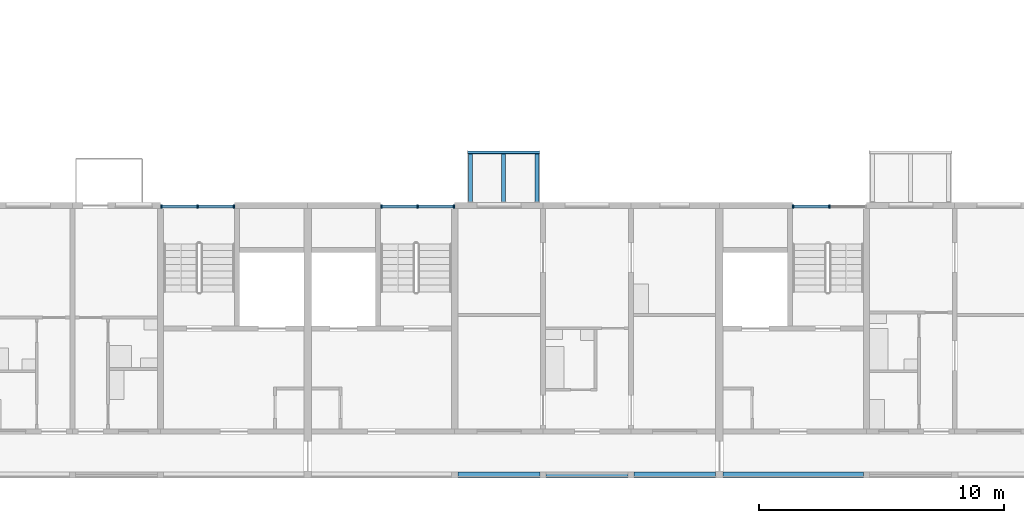
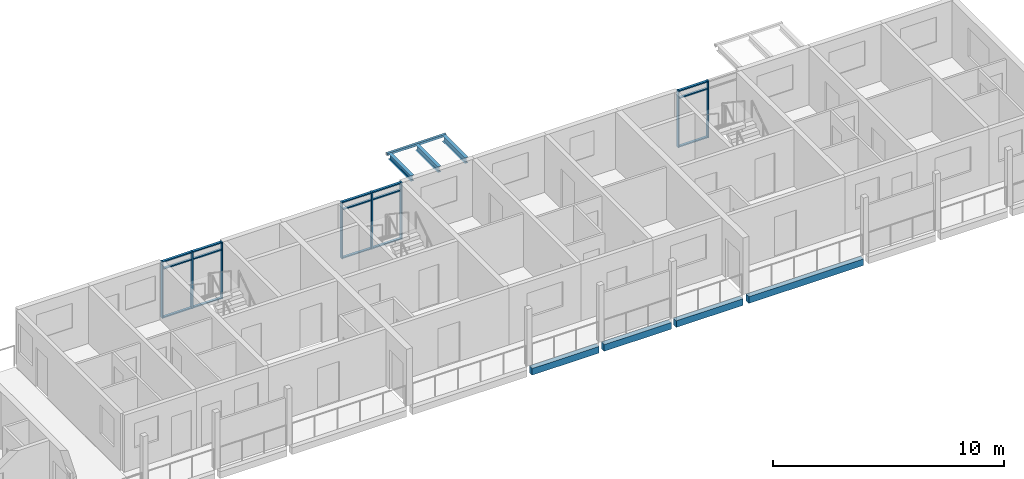
# One storey, part 13 of 64: 23 members, 8 beams, 3 elements without a shape of their own.
"""IFC4 building model written with IfcOpenShell, lengths in metres."""

from ifc_helpers import new_model, si_unit, direction, frame, origin, origin_2d, place, context, subcontext, project, spatial, rectangle, hollow_rectangle, i_section, extrude, material, material_profile, profile_set, type_object, element, aggregate, save


model = new_model("IFC4")

# Units and contexts
model_context = context("Model", 3, precision=1e-05, world=origin(), true_north=direction((0.0, 1.0)))
body_context = subcontext(model_context, "Body", "Model", "MODEL_VIEW")
ifc_project = project(units=[si_unit("LENGTHUNIT", "METRE"), si_unit("AREAUNIT", "SQUARE_METRE"), si_unit("VOLUMEUNIT", "CUBIC_METRE"), si_unit("PLANEANGLEUNIT", "RADIAN"), si_unit("MASSUNIT", "GRAM", prefix="KILO")], contexts=[model_context])

# Site, building, storey
site_placement = place(None, origin())
site = spatial("IfcSite", under=ifc_project, at=site_placement, CompositionType="ELEMENT")
building_placement = place(site_placement, origin())
building = spatial("IfcBuilding", under=site, at=building_placement, Name="Ridgestep Commons", CompositionType="ELEMENT")
storey_placement = place(building_placement, frame((0.0, 0.0, 33.0)))
storey = spatial("IfcBuildingStorey", under=building, at=storey_placement, Name="L11", CompositionType="ELEMENT", Elevation=33.0)

# Beams
ifc_material_1 = material(Name="Precast concrete C40/50", Category="concrete")
ifc_material_profile_1 = material_profile(ifc_material_1, rectangle(XDim=0.25, YDim=0.35009765625, at=origin_2d()), Name="PC 250x350")
ifc_profile_set_1 = profile_set([ifc_material_profile_1], Name="Precast concrete C40/50")
beam_type_1 = type_object("IfcBeamType", Name="Loggia edge beam 250 x 350", PredefinedType="SPANDREL", material=ifc_profile_set_1)
beam_1_placement = place(storey_placement, frame((220.125, 11.875, -0.375), z_axis=(1.0, 0.0, 0.0), x_axis=(0.0, 1.0, 0.0)))
element("IfcBeam", 1, at=beam_1_placement, inside=storey, type_object=beam_type_1, Name="Loggia edge beam D5T3 L11", PredefinedType="SPANDREL", context=body_context, shape_type="SweptSolid", body=[
    extrude(rectangle(XDim=0.25, YDim=0.35009765625, at=origin_2d()), origin(), (0.0, 0.0, 1.0), 3.35009765625),
])
beam_2_placement = place(storey_placement, frame((223.72509765625, 11.875, -0.375), z_axis=(1.0, 0.0, 0.0), x_axis=(0.0, 1.0, 0.0)))
element("IfcBeam", 2, at=beam_2_placement, inside=storey, type_object=beam_type_1, Name="Loggia edge beam D5T2 L11", PredefinedType="SPANDREL", context=body_context, shape_type="SweptSolid", body=[
    extrude(rectangle(XDim=0.25, YDim=0.35009765625, at=origin_2d()), origin(), (0.0, 0.0, 1.0), 3.349853515625),
])
beam_3_placement = place(storey_placement, frame((227.324951171875, 11.875, -0.375), z_axis=(1.0, 0.0, 0.0), x_axis=(0.0, 1.0, 0.0)))
element("IfcBeam", 3, at=beam_3_placement, inside=storey, type_object=beam_type_1, Name="Loggia edge beam D5T1 L11", PredefinedType="SPANDREL", context=body_context, shape_type="SweptSolid", body=[
    extrude(rectangle(XDim=0.25, YDim=0.35009765625, at=origin_2d()), origin(), (0.0, 0.0, 1.0), 3.324951171875),
])
beam_4_placement = place(storey_placement, frame((230.949951171875, 11.875, -0.375), z_axis=(1.0, 0.0, 0.0), x_axis=(0.0, 1.0, 0.0)))
element("IfcBeam", 4, at=beam_4_placement, inside=storey, type_object=beam_type_1, Name="Loggia edge beam D6C L11", PredefinedType="SPANDREL", context=body_context, shape_type="SweptSolid", body=[
    extrude(rectangle(XDim=0.25, YDim=0.35009765625, at=origin_2d()), origin(), (0.0, 0.0, 1.0), 5.72509765625),
])

# Curtain wall, members
ifc_material_2 = material(Name="Aluminium 6063-T6 and glass", Category="aluminium")
curtain_wall_type = type_object("IfcCurtainWallType", Name="Curtain wall stair strip", PredefinedType="NOTDEFINED", material=ifc_material_2)
curtain_wall_1_placement = place(storey_placement, origin())
curtain_wall_1 = element("IfcCurtainWall", 5, at=curtain_wall_1_placement, inside=storey, type_object=curtain_wall_type, Name="Curtain wall D4C level 11", PredefinedType="NOTDEFINED")
ifc_material_3 = material(Name="Aluminium 6063-T6", Category="aluminium")
ifc_material_profile_2 = material_profile(ifc_material_3, rectangle(XDim=0.159912109375, YDim=0.06005859375, at=origin_2d()), Name="Mullion 60 x 160")
ifc_profile_set_2 = profile_set([ifc_material_profile_2], Name="Aluminium 6063-T6")
member_type_1 = type_object("IfcMemberType", Name="Mullion 60 x 160", PredefinedType="MULLION", material=ifc_profile_set_2)
member_1_placement = place(storey_placement, frame((208.030029296875, 22.830078125, 0.0), z_axis=(0.0, 0.0, 1.0), x_axis=(0.0, 1.0, 0.0)))
member_1 = element("IfcMember", 6, at=member_1_placement, type_object=member_type_1, Name="CW1 mullion 1", PredefinedType="MULLION", context=body_context, shape_type="SweptSolid", body=[
    extrude(rectangle(XDim=0.159912109375, YDim=0.06005859375, at=origin_2d()), origin(), (0.0, 0.0, 1.0), 3.0),
])
member_2_placement = place(storey_placement, frame((209.512451171875, 22.830078125, 0.0), z_axis=(0.0, 0.0, 1.0), x_axis=(0.0, 1.0, 0.0)))
member_2 = element("IfcMember", 7, at=member_2_placement, type_object=member_type_1, Name="CW1 mullion 2", PredefinedType="MULLION", context=body_context, shape_type="SweptSolid", body=[
    extrude(rectangle(XDim=0.159912109375, YDim=0.06005859375, at=origin_2d()), origin(), (0.0, 0.0, 1.0), 3.0),
])
member_3_placement = place(storey_placement, frame((210.9951171875, 22.830078125, 0.0), z_axis=(0.0, 0.0, 1.0), x_axis=(0.0, 1.0, 0.0)))
member_3 = element("IfcMember", 8, at=member_3_placement, type_object=member_type_1, Name="CW1 mullion 3", PredefinedType="MULLION", context=body_context, shape_type="SweptSolid", body=[
    extrude(rectangle(XDim=0.159912109375, YDim=0.06005859375, at=origin_2d()), origin(), (0.0, 0.0, 1.0), 3.0),
])

curtain_wall_2_placement = place(storey_placement, origin())
curtain_wall_2 = element("IfcCurtainWall", 9, at=curtain_wall_2_placement, inside=storey, type_object=curtain_wall_type, Name="Curtain wall D5C level 11", PredefinedType="NOTDEFINED")
member_4_placement = place(storey_placement, frame((217.0048828125, 22.830078125, 0.0), z_axis=(0.0, 0.0, 1.0), x_axis=(0.0, 1.0, 0.0)))
member_4 = element("IfcMember", 10, at=member_4_placement, type_object=member_type_1, Name="CW1 mullion 1", PredefinedType="MULLION", context=body_context, shape_type="SweptSolid", body=[
    extrude(rectangle(XDim=0.159912109375, YDim=0.06005859375, at=origin_2d()), origin(), (0.0, 0.0, 1.0), 3.0),
])
member_5_placement = place(storey_placement, frame((218.487548828125, 22.830078125, 0.0), z_axis=(0.0, 0.0, 1.0), x_axis=(0.0, 1.0, 0.0)))
member_5 = element("IfcMember", 11, at=member_5_placement, type_object=member_type_1, Name="CW1 mullion 2", PredefinedType="MULLION", context=body_context, shape_type="SweptSolid", body=[
    extrude(rectangle(XDim=0.159912109375, YDim=0.06005859375, at=origin_2d()), origin(), (0.0, 0.0, 1.0), 3.0),
])
member_6_placement = place(storey_placement, frame((219.969970703125, 22.830078125, 0.0), z_axis=(0.0, 0.0, 1.0), x_axis=(0.0, 1.0, 0.0)))
member_6 = element("IfcMember", 12, at=member_6_placement, type_object=member_type_1, Name="CW1 mullion 3", PredefinedType="MULLION", context=body_context, shape_type="SweptSolid", body=[
    extrude(rectangle(XDim=0.159912109375, YDim=0.06005859375, at=origin_2d()), origin(), (0.0, 0.0, 1.0), 3.0),
])

curtain_wall_3_placement = place(storey_placement, origin())
curtain_wall_3 = element("IfcCurtainWall", 13, at=curtain_wall_3_placement, inside=storey, type_object=curtain_wall_type, Name="Curtain wall D6C level 11", PredefinedType="NOTDEFINED")
member_7_placement = place(storey_placement, frame((233.804931640625, 22.830078125, 0.0), z_axis=(0.0, 0.0, 1.0), x_axis=(0.0, 1.0, 0.0)))
member_7 = element("IfcMember", 14, at=member_7_placement, type_object=member_type_1, Name="CW1 mullion 1", PredefinedType="MULLION", context=body_context, shape_type="SweptSolid", body=[
    extrude(rectangle(XDim=0.159912109375, YDim=0.06005859375, at=origin_2d()), origin(), (0.0, 0.0, 1.0), 3.0),
])
member_8_placement = place(storey_placement, frame((235.28759765625, 22.830078125, 0.0), z_axis=(0.0, 0.0, 1.0), x_axis=(0.0, 1.0, 0.0)))
member_8 = element("IfcMember", 15, at=member_8_placement, type_object=member_type_1, Name="CW1 mullion 2", PredefinedType="MULLION", context=body_context, shape_type="SweptSolid", body=[
    extrude(rectangle(XDim=0.159912109375, YDim=0.06005859375, at=origin_2d()), origin(), (0.0, 0.0, 1.0), 3.0),
])

# Member
ifc_material_4 = material(Name="Aluminium 6063-T6", Category="aluminium")
ifc_material_profile_3 = material_profile(ifc_material_4, rectangle(XDim=0.1201171875, YDim=0.06005859375, at=origin_2d()), Name="Transom 60 x 120")
ifc_profile_set_3 = profile_set([ifc_material_profile_3], Name="Aluminium 6063-T6")
member_type_2 = type_object("IfcMemberType", Name="Transom 60 x 120", PredefinedType="USERDEFINED", material=ifc_profile_set_3)
member_9_placement = place(storey_placement, frame((208.06005859375, 22.830078125, 0.030029296875), z_axis=(1.0, 0.0, 0.0), x_axis=(0.0, 1.0, 0.0)))
member_9 = element("IfcMember", 16, at=member_9_placement, type_object=member_type_2, Name="CW1 transom 1.1", ObjectType="TRANSOM", PredefinedType="USERDEFINED", context=body_context, shape_type="SweptSolid", body=[
    extrude(rectangle(XDim=0.1201171875, YDim=0.06005859375, at=origin_2d()), origin(), (0.0, 0.0, 1.0), 1.42236328125),
])

member_10_placement = place(storey_placement, frame((208.06005859375, 22.830078125, 2.590087890625), z_axis=(1.0, 0.0, 0.0), x_axis=(0.0, 1.0, 0.0)))
member_10 = element("IfcMember", 17, at=member_10_placement, type_object=member_type_2, Name="CW1 transom 1.2", ObjectType="TRANSOM", PredefinedType="USERDEFINED", context=body_context, shape_type="SweptSolid", body=[
    extrude(rectangle(XDim=0.1201171875, YDim=0.06005859375, at=origin_2d()), origin(), (0.0, 0.0, 1.0), 1.42236328125),
])

member_11_placement = place(storey_placement, frame((208.06005859375, 22.830078125, 2.969970703125), z_axis=(1.0, 0.0, 0.0), x_axis=(0.0, 1.0, 0.0)))
member_11 = element("IfcMember", 18, at=member_11_placement, type_object=member_type_2, Name="CW1 transom 1.3", ObjectType="TRANSOM", PredefinedType="USERDEFINED", context=body_context, shape_type="SweptSolid", body=[
    extrude(rectangle(XDim=0.1201171875, YDim=0.06005859375, at=origin_2d()), origin(), (0.0, 0.0, 1.0), 1.42236328125),
])

member_12_placement = place(storey_placement, frame((209.54248046875, 22.830078125, 0.030029296875), z_axis=(1.0, 0.0, 0.0), x_axis=(0.0, 1.0, 0.0)))
member_12 = element("IfcMember", 19, at=member_12_placement, type_object=member_type_2, Name="CW1 transom 2.1", ObjectType="TRANSOM", PredefinedType="USERDEFINED", context=body_context, shape_type="SweptSolid", body=[
    extrude(rectangle(XDim=0.1201171875, YDim=0.06005859375, at=origin_2d()), origin(), (0.0, 0.0, 1.0), 1.422607421875),
])

member_13_placement = place(storey_placement, frame((209.54248046875, 22.830078125, 2.590087890625), z_axis=(1.0, 0.0, 0.0), x_axis=(0.0, 1.0, 0.0)))
member_13 = element("IfcMember", 20, at=member_13_placement, type_object=member_type_2, Name="CW1 transom 2.2", ObjectType="TRANSOM", PredefinedType="USERDEFINED", context=body_context, shape_type="SweptSolid", body=[
    extrude(rectangle(XDim=0.1201171875, YDim=0.06005859375, at=origin_2d()), origin(), (0.0, 0.0, 1.0), 1.422607421875),
])

member_14_placement = place(storey_placement, frame((209.54248046875, 22.830078125, 2.969970703125), z_axis=(1.0, 0.0, 0.0), x_axis=(0.0, 1.0, 0.0)))
member_14 = element("IfcMember", 21, at=member_14_placement, type_object=member_type_2, Name="CW1 transom 2.3", ObjectType="TRANSOM", PredefinedType="USERDEFINED", context=body_context, shape_type="SweptSolid", body=[
    extrude(rectangle(XDim=0.1201171875, YDim=0.06005859375, at=origin_2d()), origin(), (0.0, 0.0, 1.0), 1.422607421875),
])

aggregate(curtain_wall_1, [member_1, member_2, member_3, member_9, member_10, member_11, member_12, member_13, member_14])

member_15_placement = place(storey_placement, frame((217.034912109375, 22.830078125, 0.030029296875), z_axis=(1.0, 0.0, 0.0), x_axis=(0.0, 1.0, 0.0)))
member_15 = element("IfcMember", 22, at=member_15_placement, type_object=member_type_2, Name="CW1 transom 1.1", ObjectType="TRANSOM", PredefinedType="USERDEFINED", context=body_context, shape_type="SweptSolid", body=[
    extrude(rectangle(XDim=0.1201171875, YDim=0.06005859375, at=origin_2d()), origin(), (0.0, 0.0, 1.0), 1.422607421875),
])

member_16_placement = place(storey_placement, frame((217.034912109375, 22.830078125, 2.590087890625), z_axis=(1.0, 0.0, 0.0), x_axis=(0.0, 1.0, 0.0)))
member_16 = element("IfcMember", 23, at=member_16_placement, type_object=member_type_2, Name="CW1 transom 1.2", ObjectType="TRANSOM", PredefinedType="USERDEFINED", context=body_context, shape_type="SweptSolid", body=[
    extrude(rectangle(XDim=0.1201171875, YDim=0.06005859375, at=origin_2d()), origin(), (0.0, 0.0, 1.0), 1.422607421875),
])

member_17_placement = place(storey_placement, frame((217.034912109375, 22.830078125, 2.969970703125), z_axis=(1.0, 0.0, 0.0), x_axis=(0.0, 1.0, 0.0)))
member_17 = element("IfcMember", 24, at=member_17_placement, type_object=member_type_2, Name="CW1 transom 1.3", ObjectType="TRANSOM", PredefinedType="USERDEFINED", context=body_context, shape_type="SweptSolid", body=[
    extrude(rectangle(XDim=0.1201171875, YDim=0.06005859375, at=origin_2d()), origin(), (0.0, 0.0, 1.0), 1.422607421875),
])

member_18_placement = place(storey_placement, frame((218.517578125, 22.830078125, 0.030029296875), z_axis=(1.0, 0.0, 0.0), x_axis=(0.0, 1.0, 0.0)))
member_18 = element("IfcMember", 25, at=member_18_placement, type_object=member_type_2, Name="CW1 transom 2.1", ObjectType="TRANSOM", PredefinedType="USERDEFINED", context=body_context, shape_type="SweptSolid", body=[
    extrude(rectangle(XDim=0.1201171875, YDim=0.06005859375, at=origin_2d()), origin(), (0.0, 0.0, 1.0), 1.42236328125),
])

member_19_placement = place(storey_placement, frame((218.517578125, 22.830078125, 2.590087890625), z_axis=(1.0, 0.0, 0.0), x_axis=(0.0, 1.0, 0.0)))
member_19 = element("IfcMember", 26, at=member_19_placement, type_object=member_type_2, Name="CW1 transom 2.2", ObjectType="TRANSOM", PredefinedType="USERDEFINED", context=body_context, shape_type="SweptSolid", body=[
    extrude(rectangle(XDim=0.1201171875, YDim=0.06005859375, at=origin_2d()), origin(), (0.0, 0.0, 1.0), 1.42236328125),
])

member_20_placement = place(storey_placement, frame((218.517578125, 22.830078125, 2.969970703125), z_axis=(1.0, 0.0, 0.0), x_axis=(0.0, 1.0, 0.0)))
member_20 = element("IfcMember", 27, at=member_20_placement, type_object=member_type_2, Name="CW1 transom 2.3", ObjectType="TRANSOM", PredefinedType="USERDEFINED", context=body_context, shape_type="SweptSolid", body=[
    extrude(rectangle(XDim=0.1201171875, YDim=0.06005859375, at=origin_2d()), origin(), (0.0, 0.0, 1.0), 1.42236328125),
])

aggregate(curtain_wall_2, [member_4, member_5, member_6, member_15, member_16, member_17, member_18, member_19, member_20])

member_21_placement = place(storey_placement, frame((233.8349609375, 22.830078125, 0.030029296875), z_axis=(1.0, 0.0, 0.0), x_axis=(0.0, 1.0, 0.0)))
member_21 = element("IfcMember", 28, at=member_21_placement, type_object=member_type_2, Name="CW1 transom 1.1", ObjectType="TRANSOM", PredefinedType="USERDEFINED", context=body_context, shape_type="SweptSolid", body=[
    extrude(rectangle(XDim=0.1201171875, YDim=0.06005859375, at=origin_2d()), origin(), (0.0, 0.0, 1.0), 1.422607421875),
])

member_22_placement = place(storey_placement, frame((233.8349609375, 22.830078125, 2.590087890625), z_axis=(1.0, 0.0, 0.0), x_axis=(0.0, 1.0, 0.0)))
member_22 = element("IfcMember", 29, at=member_22_placement, type_object=member_type_2, Name="CW1 transom 1.2", ObjectType="TRANSOM", PredefinedType="USERDEFINED", context=body_context, shape_type="SweptSolid", body=[
    extrude(rectangle(XDim=0.1201171875, YDim=0.06005859375, at=origin_2d()), origin(), (0.0, 0.0, 1.0), 1.422607421875),
])

member_23_placement = place(storey_placement, frame((233.8349609375, 22.830078125, 2.969970703125), z_axis=(1.0, 0.0, 0.0), x_axis=(0.0, 1.0, 0.0)))
member_23 = element("IfcMember", 30, at=member_23_placement, type_object=member_type_2, Name="CW1 transom 1.3", ObjectType="TRANSOM", PredefinedType="USERDEFINED", context=body_context, shape_type="SweptSolid", body=[
    extrude(rectangle(XDim=0.1201171875, YDim=0.06005859375, at=origin_2d()), origin(), (0.0, 0.0, 1.0), 1.422607421875),
])

aggregate(curtain_wall_3, [member_7, member_8, member_21, member_22, member_23])

# Beams
ifc_material_5 = material(Name="Weathering steel S355J2W", Category="steel")
ifc_material_profile_4 = material_profile(ifc_material_5, i_section(OverallWidth=0.1650390625, OverallDepth=0.303466796875, WebThickness=0.006103515625, FlangeThickness=0.01025390625, FilletRadius=0.0087890625, at=origin_2d()), Name="UB 305x165x40")
ifc_profile_set_4 = profile_set([ifc_material_profile_4], Name="Weathering steel S355J2W")
beam_type_2 = type_object("IfcBeamType", Name="Tray arm UB 305x165x40", PredefinedType="BEAM", material=ifc_profile_set_4)
for number, where, z_axis, x_axis, name in (
    (31, (220.64990234375, 23.014892578125, 2.83837890625), (0.0, 1.0, 0.0), (-1.0, 0.0, 0.0), "Tray arm D5T3-12.1"),
    (32, (222.0, 23.014892578125, 2.83837890625), (0.0, 1.0, 0.0), (-1.0, 0.0, 0.0), "Tray arm D5T3-12.2"),
    (33, (223.35009765625, 23.014892578125, 2.83837890625), (0.0, 1.0, 0.0), (-1.0, 0.0, 0.0), "Tray arm D5T3-12.3"),
):
    element("IfcBeam", number, at=place(storey_placement, frame(where, z_axis=z_axis, x_axis=x_axis)), inside=storey, type_object=beam_type_2, Name=name, PredefinedType="BEAM", context=body_context, shape_type="SweptSolid", body=[
        extrude(i_section(OverallWidth=0.1650390625, OverallDepth=0.303466796875, WebThickness=0.006103515625, FlangeThickness=0.01025390625, FilletRadius=0.0087890625, at=origin_2d()), origin(), (0.0, 0.0, 1.0), 1.965087890625),
    ])
ifc_material_6 = material(Name="Weathering steel S355J2W", Category="steel")
ifc_material_profile_5 = material_profile(ifc_material_6, hollow_rectangle(XDim=0.1201171875, YDim=0.1201171875, WallThickness=0.00634765625, InnerFilletRadius=0.00634765625, OuterFilletRadius=0.009521484375, at=origin_2d()), Name="SHS 120x120x6.3")
ifc_profile_set_5 = profile_set([ifc_material_profile_5], Name="Weathering steel S355J2W")
beam_type_3 = type_object("IfcBeamType", Name="Tray edge member SHS 120x120x6.3", PredefinedType="BEAM", material=ifc_profile_set_5)
beam_5_placement = place(storey_placement, frame((220.530029296875, 25.0400390625, 2.929931640625), z_axis=(1.0, 0.0, 0.0), x_axis=(0.0, 0.0, 1.0)))
element("IfcBeam", 34, at=beam_5_placement, inside=storey, type_object=beam_type_3, Name="Tray edge member D5T3-12", PredefinedType="BEAM", context=body_context, shape_type="SweptSolid", body=[
    extrude(hollow_rectangle(XDim=0.1201171875, YDim=0.1201171875, WallThickness=0.00634765625, InnerFilletRadius=0.00634765625, OuterFilletRadius=0.009521484375, at=origin_2d()), origin(), (0.0, 0.0, 1.0), 2.93994140625),
])

save(model, "model.ifc")
